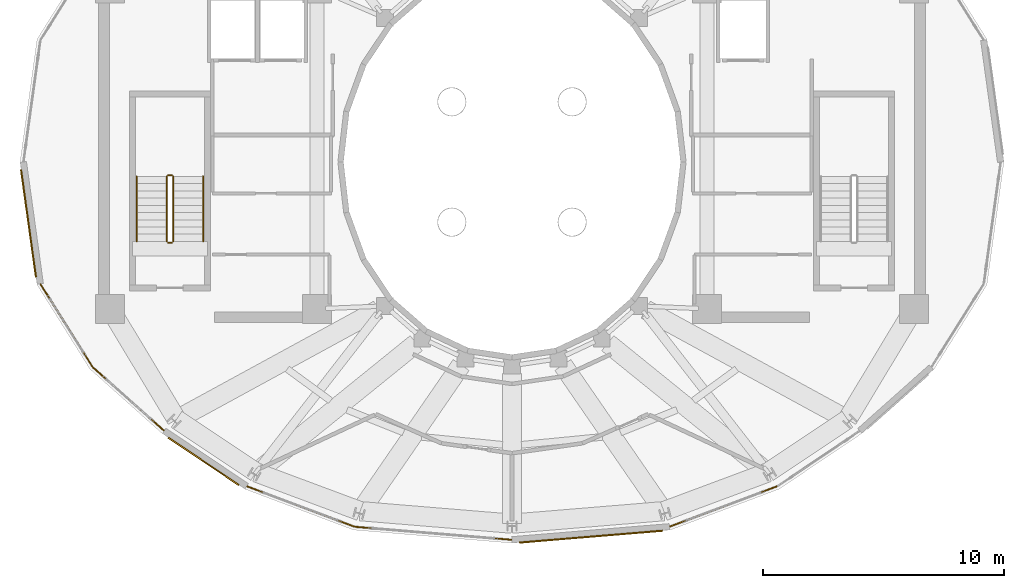
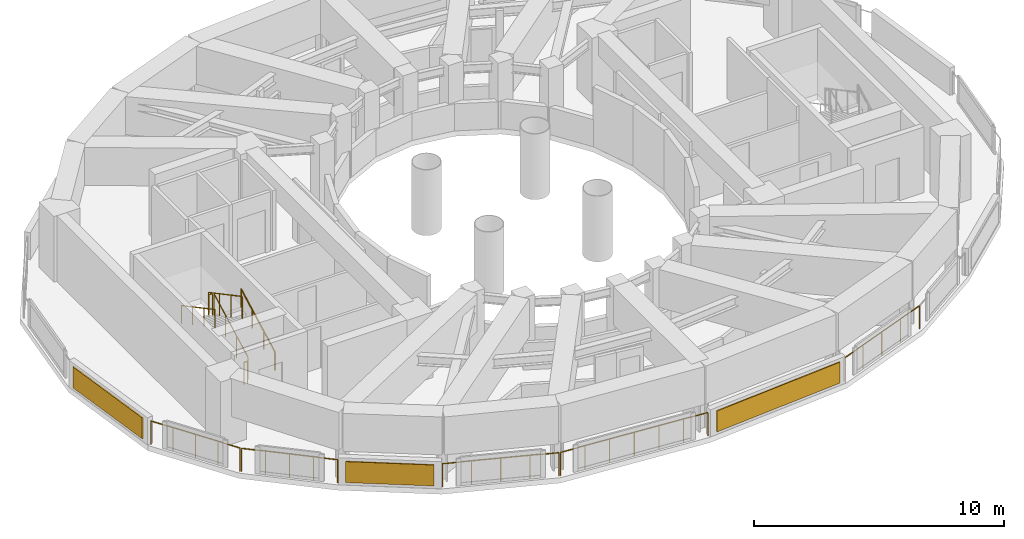
# One storey, part 15 of 17: 11 railings, 3 shading devices.
"""IFC4 building model written with IfcOpenShell, lengths in metres."""

from ifc_helpers import new_model, si_unit, direction, frame, origin, origin_2d, place, context, subcontext, project, spatial, rectangle, circle, extrude, material, layer, layer_set, type_object, element, save


model = new_model("IFC4")

# Units and contexts
model_context = context("Model", 3, precision=1e-05, world=origin(), true_north=direction((0.0, 1.0)))
body_context = subcontext(model_context, "Body", "Model", "MODEL_VIEW")
ifc_project = project(units=[si_unit("LENGTHUNIT", "METRE"), si_unit("AREAUNIT", "SQUARE_METRE"), si_unit("VOLUMEUNIT", "CUBIC_METRE"), si_unit("PLANEANGLEUNIT", "RADIAN"), si_unit("MASSUNIT", "GRAM", prefix="KILO")], contexts=[model_context])

# Site, building, storey
site_placement = place(None, origin())
site = spatial("IfcSite", under=ifc_project, at=site_placement, CompositionType="ELEMENT")
building_placement = place(site_placement, origin())
building = spatial("IfcBuilding", under=site, at=building_placement, Name="Solvane Sanctuary Tower", CompositionType="ELEMENT")
storey_placement = place(building_placement, frame((0.0, 0.0, 273.199951171875)))
storey = spatial("IfcBuildingStorey", under=building, at=storey_placement, Name="L83", CompositionType="ELEMENT", Elevation=273.199951171875)

# Railings
ifc_material_1 = material(Name="Architectural Stainless Steel 316", Category="steel")
railing_type_1 = type_object("IfcRailingType", Name="Railing GR-BALC-1150", PredefinedType="BALUSTRADE", material=ifc_material_1)
railing_1_placement = place(storey_placement, frame((12.41748046875, 17.91748046875, 0.0)))
element("IfcRailing", 1, at=railing_1_placement, inside=storey, type_object=railing_type_1, Name="L83 Crown Curtain-Wall Sill Guard 13", PredefinedType="BALUSTRADE", context=body_context, shape_type="SweptSolid", body=[
    extrude(circle(Radius=0.02392578125, at=origin_2d()), frame((0.0, 0.0, 1.1259765625), z_axis=(0.53180448567, -0.846867161379, 0.0), x_axis=(0.846867161379, 0.53180448567, 0.0)), (0.0, 0.0, 1.0), 4.032470703125),
    extrude(circle(Radius=0.02099609375, at=origin_2d()), origin(), (0.0, 0.0, 1.0), 1.101806640625),
    extrude(circle(Radius=0.02099609375, at=origin_2d()), frame((0.5361328125, -0.853759765625, 0.0)), (0.0, 0.0, 1.0), 1.101806640625),
    extrude(circle(Radius=0.02099609375, at=origin_2d()), frame((1.072265625, -1.70751953125, 0.0)), (0.0, 0.0, 1.0), 1.101806640625),
    extrude(circle(Radius=0.02099609375, at=origin_2d()), frame((1.6083984375, -2.561279296875, 0.0)), (0.0, 0.0, 1.0), 1.101806640625),
    extrude(circle(Radius=0.02099609375, at=origin_2d()), frame((2.14453125, -3.4150390625, 0.0)), (0.0, 0.0, 1.0), 1.101806640625),
])
railing_2_placement = place(storey_placement, frame((14.600341796875, 14.45703125, 0.0)))
element("IfcRailing", 2, at=railing_2_placement, inside=storey, type_object=railing_type_1, Name="L83 Crown Curtain-Wall Sill Guard 14", PredefinedType="BALUSTRADE", context=body_context, shape_type="SweptSolid", body=[
    extrude(circle(Radius=0.02392578125, at=origin_2d()), frame((0.0, 0.0, 1.1259765625), z_axis=(0.746935211009, -0.664896827, 0.0), x_axis=(0.664896827, 0.746935211009, 0.0)), (0.0, 0.0, 1.0), 3.92236328125),
    extrude(circle(Radius=0.02099609375, at=origin_2d()), origin(), (0.0, 0.0, 1.0), 1.101806640625),
    extrude(circle(Radius=0.02099609375, at=origin_2d()), frame((0.732421875, -0.65185546875, 0.0)), (0.0, 0.0, 1.0), 1.101806640625),
    extrude(circle(Radius=0.02099609375, at=origin_2d()), frame((1.46484375, -1.303955078125, 0.0)), (0.0, 0.0, 1.0), 1.101806640625),
    extrude(circle(Radius=0.02099609375, at=origin_2d()), frame((2.197265625, -1.9560546875, 0.0)), (0.0, 0.0, 1.0), 1.101806640625),
    extrude(circle(Radius=0.02099609375, at=origin_2d()), frame((2.9296875, -2.60791015625, 0.0)), (0.0, 0.0, 1.0), 1.101806640625),
])
railing_3_placement = place(storey_placement, frame((21.005126953125, 9.518798828125, 0.0)))
element("IfcRailing", 3, at=railing_3_placement, inside=storey, type_object=railing_type_1, Name="L83 Crown Curtain-Wall Sill Guard 16", PredefinedType="BALUSTRADE", context=body_context, shape_type="SweptSolid", body=[
    extrude(circle(Radius=0.02392578125, at=origin_2d()), frame((0.0, 0.0, 1.1259765625), z_axis=(0.936172051996, -0.3515421583, 0.0), x_axis=(0.3515421583, 0.936172051996, 0.0)), (0.0, 0.0, 1.0), 4.72802734375),
    extrude(circle(Radius=0.02099609375, at=origin_2d()), origin(), (0.0, 0.0, 1.0), 1.101806640625),
    extrude(circle(Radius=0.02099609375, at=origin_2d()), frame((1.1064453125, -0.41552734375, 0.0)), (0.0, 0.0, 1.0), 1.101806640625),
    extrude(circle(Radius=0.02099609375, at=origin_2d()), frame((2.213134765625, -0.8310546875, 0.0)), (0.0, 0.0, 1.0), 1.101806640625),
    extrude(circle(Radius=0.02099609375, at=origin_2d()), frame((3.31982421875, -1.24658203125, 0.0)), (0.0, 0.0, 1.0), 1.101806640625),
    extrude(circle(Radius=0.02099609375, at=origin_2d()), frame((4.42626953125, -1.662109375, 0.0)), (0.0, 0.0, 1.0), 1.101806640625),
])
railing_4_placement = place(storey_placement, frame((25.489501953125, 7.84375, 0.0)))
element("IfcRailing", 4, at=railing_4_placement, inside=storey, type_object=railing_type_1, Name="L83 Crown Curtain-Wall Sill Guard 17", PredefinedType="BALUSTRADE", context=body_context, shape_type="SweptSolid", body=[
    extrude(circle(Radius=0.02392578125, at=origin_2d()), frame((0.0, 0.0, 1.1259765625), z_axis=(0.996580108602, -0.08263224031, 0.0), x_axis=(0.08263224031, 0.996580108602, 0.0)), (0.0, 0.0, 1.0), 6.5029296875),
    extrude(circle(Radius=0.02099609375, at=origin_2d()), origin(), (0.0, 0.0, 1.0), 1.101806640625),
    extrude(circle(Radius=0.02099609375, at=origin_2d()), frame((1.080078125, -0.089599609375, 0.0)), (0.0, 0.0, 1.0), 1.101806640625),
    extrude(circle(Radius=0.02099609375, at=origin_2d()), frame((2.16015625, -0.17919921875, 0.0)), (0.0, 0.0, 1.0), 1.101806640625),
    extrude(circle(Radius=0.02099609375, at=origin_2d()), frame((3.240234375, -0.2685546875, 0.0)), (0.0, 0.0, 1.0), 1.101806640625),
    extrude(circle(Radius=0.02099609375, at=origin_2d()), frame((4.320556640625, -0.358154296875, 0.0)), (0.0, 0.0, 1.0), 1.101806640625),
    extrude(circle(Radius=0.02099609375, at=origin_2d()), frame((5.400634765625, -0.44775390625, 0.0)), (0.0, 0.0, 1.0), 1.101806640625),
    extrude(circle(Radius=0.02099609375, at=origin_2d()), frame((6.480712890625, -0.537353515625, 0.0)), (0.0, 0.0, 1.0), 1.101806640625),
])
railing_5_placement = place(storey_placement, frame((38.568603515625, 7.856689453125, 0.0)))
element("IfcRailing", 5, at=railing_5_placement, inside=storey, type_object=railing_type_1, Name="L83 Crown Curtain-Wall Sill Guard 19", PredefinedType="BALUSTRADE", context=body_context, shape_type="SweptSolid", body=[
    extrude(circle(Radius=0.02392578125, at=origin_2d()), frame((0.0, 0.0, 1.1259765625), z_axis=(0.936172051996, 0.3515421583, 0.0), x_axis=(-0.3515421583, 0.936172051996, 0.0)), (0.0, 0.0, 1.0), 4.72802734375),
    extrude(circle(Radius=0.02099609375, at=origin_2d()), origin(), (0.0, 0.0, 1.0), 1.101806640625),
    extrude(circle(Radius=0.02099609375, at=origin_2d()), frame((1.1064453125, 0.41552734375, 0.0)), (0.0, 0.0, 1.0), 1.101806640625),
    extrude(circle(Radius=0.02099609375, at=origin_2d()), frame((2.213134765625, 0.8310546875, 0.0)), (0.0, 0.0, 1.0), 1.101806640625),
    extrude(circle(Radius=0.02099609375, at=origin_2d()), frame((3.31982421875, 1.24658203125, 0.0)), (0.0, 0.0, 1.0), 1.101806640625),
    extrude(circle(Radius=0.02099609375, at=origin_2d()), frame((4.42626953125, 1.662109375, 0.0)), (0.0, 0.0, 1.0), 1.101806640625),
])
railing_6_placement = place(storey_placement, frame((17.919921875, 19.699951171875, 0.16015625)))
element("IfcRailing", 6, at=railing_6_placement, inside=storey, type_object=railing_type_1, Name="L83 ST-1 stair guard 1", PredefinedType="BALUSTRADE", context=body_context, shape_type="SweptSolid", body=[
    extrude(circle(Radius=0.02392578125, at=origin_2d()), frame((0.0, 0.0, 1.076171875), z_axis=(0.0, 0.882357358376, 0.470579952952), x_axis=(-1.0, 0.0, 0.0)), (0.0, 0.0, 1.0), 3.059814453125),
    extrude(circle(Radius=0.02099609375, at=origin_2d()), origin(), (0.0, 0.0, 1.0), 1.052001953125),
    extrude(circle(Radius=0.02099609375, at=origin_2d()), frame((0.0, 0.89990234375, 0.47998046875)), (0.0, 0.0, 1.0), 1.052001953125),
    extrude(circle(Radius=0.02099609375, at=origin_2d()), frame((0.0, 1.800048828125, 0.9599609375)), (0.0, 0.0, 1.0), 1.052001953125),
    extrude(circle(Radius=0.02099609375, at=origin_2d()), frame((0.0, 2.699951171875, 1.43994140625)), (0.0, 0.0, 1.0), 1.052001953125),
])
railing_7_placement = place(storey_placement, frame((17.8701171875, 22.449951171875, 1.60009765625)))
element("IfcRailing", 7, at=railing_7_placement, inside=storey, type_object=railing_type_1, Name="L83 ST-1 stair guard 2", PredefinedType="BALUSTRADE", context=body_context, shape_type="SweptSolid", body=[
    extrude(circle(Radius=0.02392578125, at=origin_2d()), frame((0.0, 0.0, 1.076171875), z_axis=(-1.0, 0.0, 0.0), x_axis=(0.0, -1.0, 0.0)), (0.0, 0.0, 1.0), 0.16015625),
    extrude(circle(Radius=0.02099609375, at=origin_2d()), origin(), (0.0, 0.0, 1.0), 1.052001953125),
    extrude(circle(Radius=0.02099609375, at=origin_2d()), frame((-0.16015625, 0.0, 0.0)), (0.0, 0.0, 1.0), 1.052001953125),
])
railing_8_placement = place(storey_placement, frame((17.659912109375, 22.39990234375, 1.760009765625)))
element("IfcRailing", 8, at=railing_8_placement, inside=storey, type_object=railing_type_1, Name="L83 ST-1 stair guard 3", PredefinedType="BALUSTRADE", context=body_context, shape_type="SweptSolid", body=[
    extrude(circle(Radius=0.02392578125, at=origin_2d()), frame((0.0, 0.0, 1.076171875), z_axis=(0.0, -0.882357358376, 0.470579952952), x_axis=(1.0, 0.0, 0.0)), (0.0, 0.0, 1.0), 3.059814453125),
    extrude(circle(Radius=0.02099609375, at=origin_2d()), origin(), (0.0, 0.0, 1.0), 1.052001953125),
    extrude(circle(Radius=0.02099609375, at=origin_2d()), frame((0.0, -0.89990234375, 0.47998046875)), (0.0, 0.0, 1.0), 1.052001953125),
    extrude(circle(Radius=0.02099609375, at=origin_2d()), frame((0.0, -1.800048828125, 0.9599609375)), (0.0, 0.0, 1.0), 1.052001953125),
    extrude(circle(Radius=0.02099609375, at=origin_2d()), frame((0.0, -2.699951171875, 1.43994140625)), (0.0, 0.0, 1.0), 1.052001953125),
])
railing_9_placement = place(storey_placement, frame((17.8701171875, 19.64990234375, 0.0)))
element("IfcRailing", 9, at=railing_9_placement, inside=storey, type_object=railing_type_1, Name="L83 ST-1 stair guard 4", PredefinedType="BALUSTRADE", context=body_context, shape_type="SweptSolid", body=[
    extrude(circle(Radius=0.02392578125, at=origin_2d()), frame((0.0, 0.0, 1.076171875), z_axis=(-1.0, 0.0, 0.0), x_axis=(0.0, -1.0, 0.0)), (0.0, 0.0, 1.0), 0.16015625),
    extrude(circle(Radius=0.02099609375, at=origin_2d()), origin(), (0.0, 0.0, 1.0), 1.052001953125),
    extrude(circle(Radius=0.02099609375, at=origin_2d()), frame((-0.16015625, 0.0, 0.0)), (0.0, 0.0, 1.0), 1.052001953125),
])
railing_type_2 = type_object("IfcRailingType", Name="Railing HR-STAIR-920", PredefinedType="HANDRAIL", material=ifc_material_1)
railing_10_placement = place(storey_placement, frame((19.169921875, 19.699951171875, 0.16015625)))
element("IfcRailing", 10, at=railing_10_placement, inside=storey, type_object=railing_type_2, Name="L83 ST-1 stair handrail 1", PredefinedType="HANDRAIL", context=body_context, shape_type="SweptSolid", body=[
    extrude(circle(Radius=0.02392578125, at=origin_2d()), frame((0.0, 0.0, 0.8759765625), z_axis=(0.0, 0.882357358376, 0.470579952952), x_axis=(-1.0, 0.0, 0.0)), (0.0, 0.0, 1.0), 3.059814453125),
    extrude(circle(Radius=0.02099609375, at=origin_2d()), origin(), (0.0, 0.0, 1.0), 0.851806640625),
    extrude(circle(Radius=0.02099609375, at=origin_2d()), frame((0.0, 0.89990234375, 0.47998046875)), (0.0, 0.0, 1.0), 0.851806640625),
    extrude(circle(Radius=0.02099609375, at=origin_2d()), frame((0.0, 1.800048828125, 0.9599609375)), (0.0, 0.0, 1.0), 0.851806640625),
    extrude(circle(Radius=0.02099609375, at=origin_2d()), frame((0.0, 2.699951171875, 1.43994140625)), (0.0, 0.0, 1.0), 0.851806640625),
])
railing_11_placement = place(storey_placement, frame((16.409912109375, 22.39990234375, 1.760009765625)))
element("IfcRailing", 11, at=railing_11_placement, inside=storey, type_object=railing_type_2, Name="L83 ST-1 stair handrail 2", PredefinedType="HANDRAIL", context=body_context, shape_type="SweptSolid", body=[
    extrude(circle(Radius=0.02392578125, at=origin_2d()), frame((0.0, 0.0, 0.8759765625), z_axis=(0.0, -0.882357358376, 0.470579952952), x_axis=(1.0, 0.0, 0.0)), (0.0, 0.0, 1.0), 3.059814453125),
    extrude(circle(Radius=0.02099609375, at=origin_2d()), origin(), (0.0, 0.0, 1.0), 0.851806640625),
    extrude(circle(Radius=0.02099609375, at=origin_2d()), frame((0.0, -0.89990234375, 0.47998046875)), (0.0, 0.0, 1.0), 0.851806640625),
    extrude(circle(Radius=0.02099609375, at=origin_2d()), frame((0.0, -1.800048828125, 0.9599609375)), (0.0, 0.0, 1.0), 0.851806640625),
    extrude(circle(Radius=0.02099609375, at=origin_2d()), frame((0.0, -2.699951171875, 1.43994140625)), (0.0, 0.0, 1.0), 0.851806640625),
])

# Shading devices
ifc_material_2 = material(Name="Anodised Aluminium 6063-T6", Category="aluminium")
ifc_layer = layer(ifc_material_2, 0.06005859375, Name="Anodised Aluminium 6063-T6")
ifc_layer_set = layer_set([ifc_layer], Name="Anodised Aluminium 6063-T6")
shading_device_type = type_object("IfcShadingDeviceType", Name="Shading SHD-LOUVRE", PredefinedType="JALOUSIE", material=ifc_layer_set)
shading_device_1_placement = place(storey_placement, frame((11.912109375, 20.452392578125, 0.150146484375), z_axis=(0.0, 0.0, 1.0), x_axis=(0.137384039001, -0.9905178574, 0.0)))
element("IfcShadingDevice", 12, at=shading_device_1_placement, inside=storey, type_object=shading_device_type, Name="L83 Crown Storm Louvre Panel 12", PredefinedType="JALOUSIE", context=body_context, shape_type="SweptSolid", body=[
    extrude(rectangle(XDim=4.50537109375, YDim=0.06005859375, at=origin_2d()), origin(), (0.0, 0.0, 1.0), 1.02001953125),
])
shading_device_2_placement = place(storey_placement, frame((19.186767578125, 10.56298828125, 0.150146484375), z_axis=(0.0, 0.0, 1.0), x_axis=(0.830154381679, -0.557533588745, 0.0)))
element("IfcShadingDevice", 13, at=shading_device_2_placement, inside=storey, type_object=shading_device_type, Name="L83 Crown Storm Louvre Panel 15", PredefinedType="JALOUSIE", context=body_context, shape_type="SweptSolid", body=[
    extrude(rectangle(XDim=3.525146484375, YDim=0.06005859375, at=origin_2d()), origin(), (0.0, 0.0, 1.0), 1.02001953125),
])
shading_device_3_placement = place(storey_placement, frame((35.28173828125, 7.435546875, 0.150146484375), z_axis=(0.0, 0.0, 1.0), x_axis=(0.9965800843, 0.082632533399, 0.0)))
element("IfcShadingDevice", 14, at=shading_device_3_placement, inside=storey, type_object=shading_device_type, Name="L83 Crown Storm Louvre Panel 18", PredefinedType="JALOUSIE", context=body_context, shape_type="SweptSolid", body=[
    extrude(rectangle(XDim=5.962890625, YDim=0.06005859375, at=origin_2d()), origin(), (0.0, 0.0, 1.0), 1.02001953125),
])

save(model, "model.ifc")
